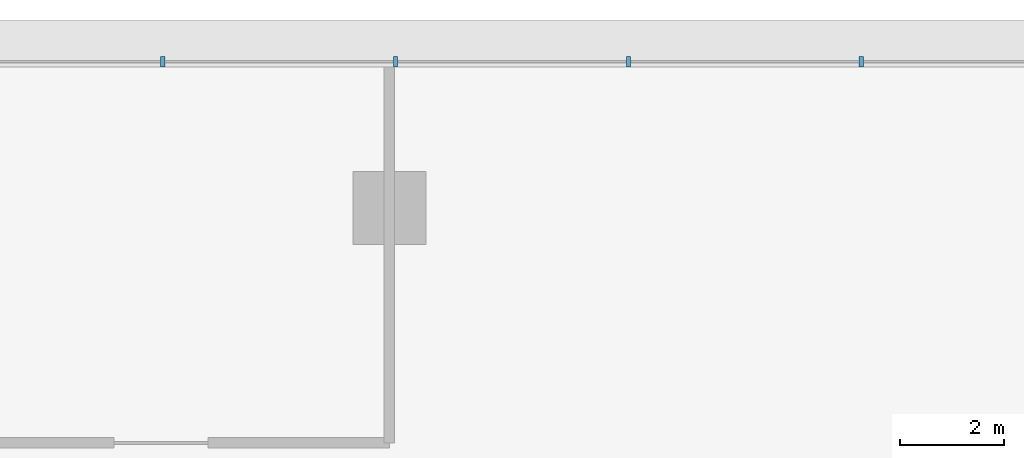
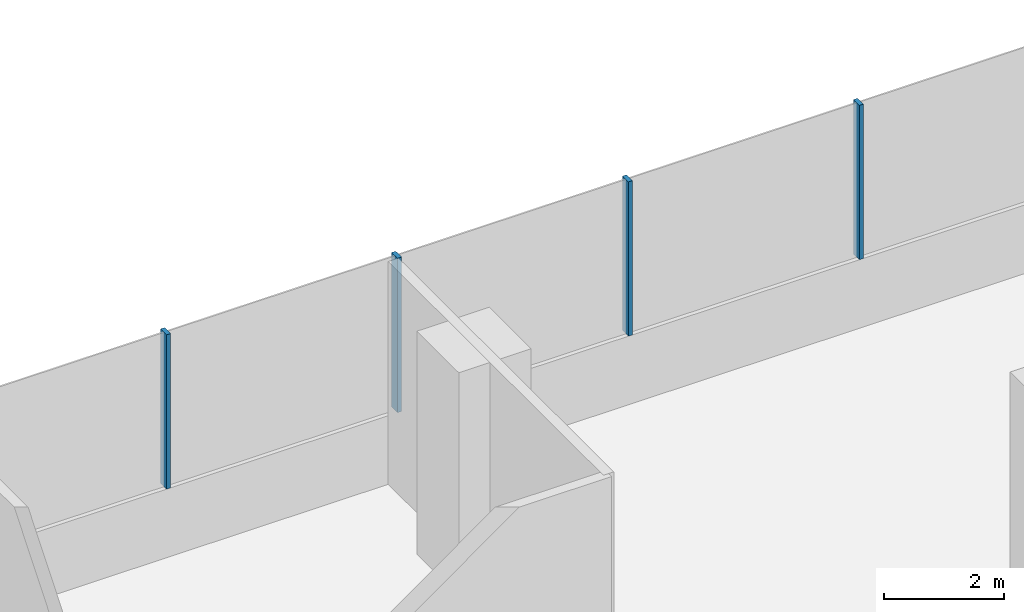
# One storey, part 14 of 38: 4 members, 1 element without a shape of its own.
"""IFC4 building model written with IfcOpenShell, lengths in metres."""

from ifc_helpers import new_model, si_unit, direction, frame, origin, origin_2d, place, context, subcontext, project, spatial, rectangle, extrude, material, layer, layer_set, material_profile, profile_set, type_object, element, aggregate, save


model = new_model("IFC4")

# Units and contexts
model_context = context("Model", 3, precision=1e-05, world=origin(), true_north=direction((0.0, 1.0)))
body_context = subcontext(model_context, "Body", "Model", "MODEL_VIEW")
ifc_project = project(units=[si_unit("LENGTHUNIT", "METRE"), si_unit("AREAUNIT", "SQUARE_METRE"), si_unit("VOLUMEUNIT", "CUBIC_METRE"), si_unit("PLANEANGLEUNIT", "RADIAN"), si_unit("MASSUNIT", "GRAM", prefix="KILO")], contexts=[model_context])

# Site, building, storey
site_placement = place(None, origin())
site = spatial("IfcSite", under=ifc_project, at=site_placement, CompositionType="ELEMENT")
building_placement = place(site_placement, origin())
building = spatial("IfcBuilding", under=site, at=building_placement, Name="Tamarind Cross Interchange Tower", CompositionType="ELEMENT")
storey_placement = place(building_placement, frame((0.0, 0.0, 20.0)))
storey = spatial("IfcBuildingStorey", under=building, at=storey_placement, Name="L03", CompositionType="ELEMENT", Elevation=20.0)

# Curtain wall, members
ifc_material = material(Name="Aluminium 6063-T6", Category="aluminium")
ifc_layer = layer(ifc_material, 0.199951171875)
ifc_layer_set = layer_set([ifc_layer], Name="Aluminium 6063-T6")
curtain_wall_type = type_object("IfcCurtainWallType", Name="Podium shopfront and station curtain wall", PredefinedType="NOTDEFINED", material=ifc_layer_set)
curtain_wall_placement = place(storey_placement, origin())
curtain_wall = element("IfcCurtainWall", 1, at=curtain_wall_placement, inside=storey, type_object=curtain_wall_type, Name="CWS-L03-02", PredefinedType="NOTDEFINED")
ifc_material_profile = material_profile(ifc_material, rectangle(XDim=0.080078125, YDim=0.199951171875, at=origin_2d()), Name="Mullion CW3")
ifc_profile_set = profile_set([ifc_material_profile], Name="Aluminium 6063-T6")
member_type = type_object("IfcMemberType", Name="Mullion CW3", PredefinedType="MULLION", material=ifc_profile_set)
member_1_placement = place(storey_placement, frame((-4.46044921875, 56.800048828125, 1.39990234375), z_axis=(0.0, 0.0, 1.0), x_axis=(-1.0, 0.0, 0.0)))
member_1 = element("IfcMember", 2, at=member_1_placement, type_object=member_type, Name="CWM-L03-02-14", PredefinedType="MULLION", context=body_context, shape_type="SweptSolid", body=[
    extrude(rectangle(XDim=0.080078125, YDim=0.199951171875, at=origin_2d()), origin(), (0.0, 0.0, 1.0), 3.150146484375),
])
member_2_placement = place(storey_placement, frame((-8.920654296875, 56.800048828125, 1.39990234375), z_axis=(0.0, 0.0, 1.0), x_axis=(-1.0, 0.0, 0.0)))
member_2 = element("IfcMember", 3, at=member_2_placement, type_object=member_type, Name="CWM-L03-02-15", PredefinedType="MULLION", context=body_context, shape_type="SweptSolid", body=[
    extrude(rectangle(XDim=0.080078125, YDim=0.199951171875, at=origin_2d()), origin(), (0.0, 0.0, 1.0), 3.150146484375),
])
member_3_placement = place(storey_placement, frame((-13.381103515625, 56.800048828125, 1.39990234375), z_axis=(0.0, 0.0, 1.0), x_axis=(-1.0, 0.0, 0.0)))
member_3 = element("IfcMember", 4, at=member_3_placement, type_object=member_type, Name="CWM-L03-02-16", PredefinedType="MULLION", context=body_context, shape_type="SweptSolid", body=[
    extrude(rectangle(XDim=0.080078125, YDim=0.199951171875, at=origin_2d()), origin(), (0.0, 0.0, 1.0), 3.150146484375),
])
member_4_placement = place(storey_placement, frame((-17.84130859375, 56.800048828125, 1.39990234375), z_axis=(0.0, 0.0, 1.0), x_axis=(-1.0, 0.0, 0.0)))
member_4 = element("IfcMember", 5, at=member_4_placement, type_object=member_type, Name="CWM-L03-02-17", PredefinedType="MULLION", context=body_context, shape_type="SweptSolid", body=[
    extrude(rectangle(XDim=0.080078125, YDim=0.199951171875, at=origin_2d()), origin(), (0.0, 0.0, 1.0), 3.150146484375),
])
aggregate(curtain_wall, [member_1, member_2, member_3, member_4])

save(model, "model.ifc")
